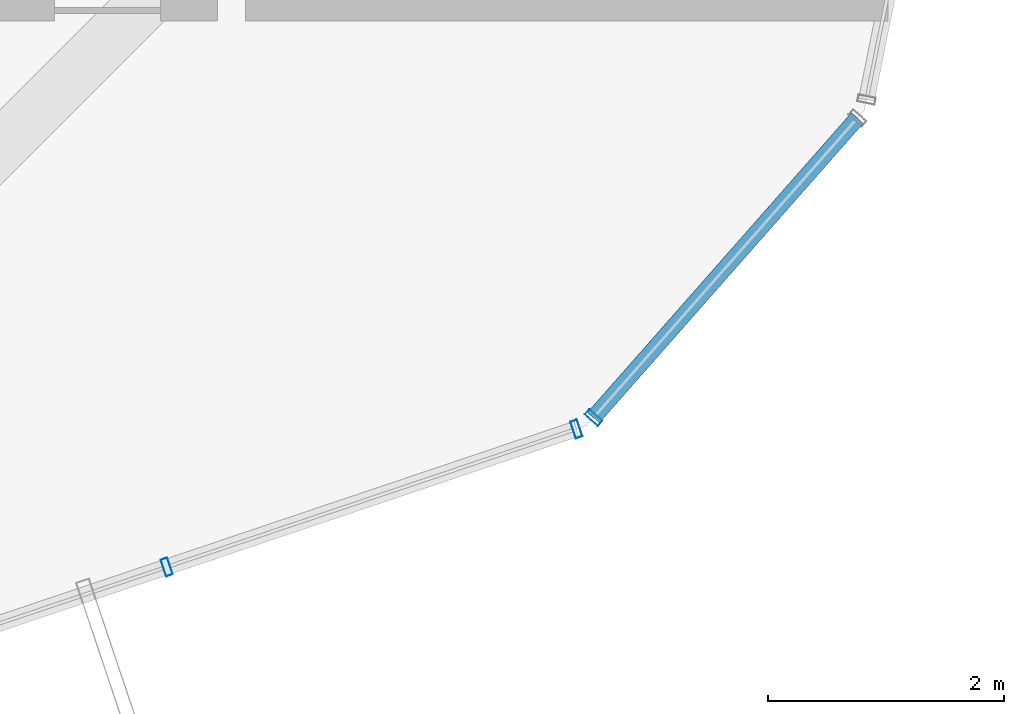
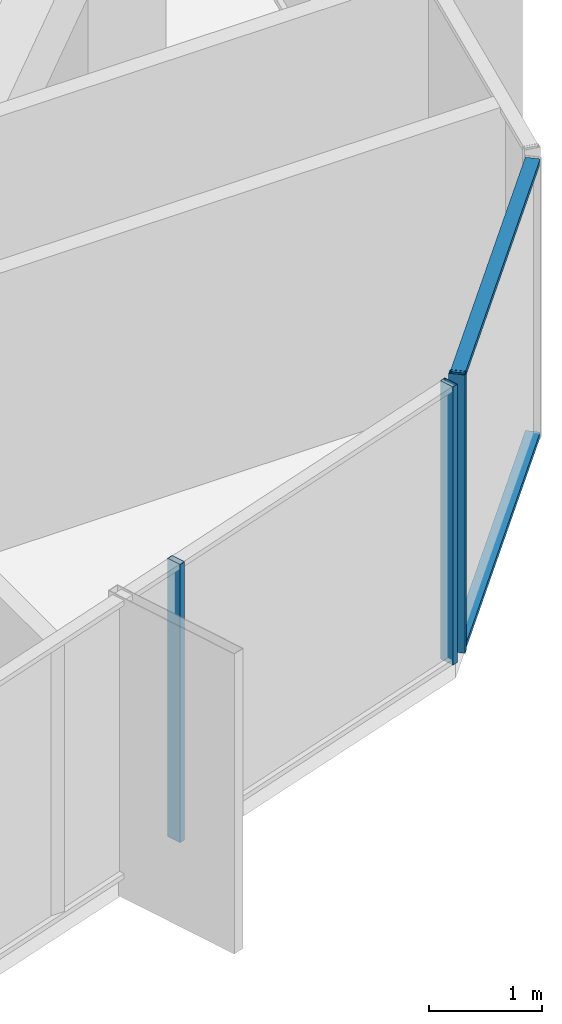
# One storey, part 9 of 28: 5 members, 2 elements without a shape of their own.
"""IFC4 building model written with IfcOpenShell, lengths in metres."""

from ifc_helpers import new_model, si_unit, direction, frame, origin, origin_2d, place, context, subcontext, project, spatial, hollow_rectangle, extrude, source, transform, mapped, material, layer, layer_set, material_profile, profile_set, type_object, element, aggregate, save


model = new_model("IFC4")

# Units and contexts
model_context = context("Model", 3, precision=1e-05, world=origin(), true_north=direction((0.0, 1.0)))
body_context = subcontext(model_context, "Body", "Model", "MODEL_VIEW")
ifc_project = project(units=[si_unit("LENGTHUNIT", "METRE"), si_unit("AREAUNIT", "SQUARE_METRE"), si_unit("VOLUMEUNIT", "CUBIC_METRE"), si_unit("PLANEANGLEUNIT", "RADIAN"), si_unit("MASSUNIT", "GRAM", prefix="KILO")], contexts=[model_context])

# Site, building, storey
site_placement = place(None, origin())
site = spatial("IfcSite", under=ifc_project, at=site_placement, CompositionType="ELEMENT")
building_placement = place(site_placement, origin())
building = spatial("IfcBuilding", under=site, at=building_placement, Name="Veraguas Prism Commons", CompositionType="ELEMENT")
storey_placement = place(building_placement, frame((0.0, 0.0, 248.0)))
storey = spatial("IfcBuildingStorey", under=building, at=storey_placement, Name="L70", CompositionType="ELEMENT", Elevation=248.0)

# Curtain wall, members
ifc_material = material(Name="Anodised aluminium EN AW-6063 T6", Category="aluminium")
ifc_layer = layer(ifc_material, 0.14990234375, Name="Unitised Flush Curtain Wall Zone 4", Category="aluminium")
ifc_layer_set = layer_set([ifc_layer], Name="Anodised aluminium EN AW-6063 T6")
curtain_wall_type = type_object("IfcCurtainWallType", Name="Unitised Flush Curtain Wall Zone 4", PredefinedType="NOTDEFINED", material=ifc_layer_set)
curtain_wall_1_placement = place(storey_placement, origin())
curtain_wall_1 = element("IfcCurtainWall", 1, at=curtain_wall_1_placement, inside=storey, type_object=curtain_wall_type, Name="Tower Facade Curtain Wall L70-F5", PredefinedType="NOTDEFINED")
ifc_material_profile_1 = material_profile(ifc_material, hollow_rectangle(XDim=0.06005859375, YDim=0.14990234375, WallThickness=0.0029296875, at=origin_2d()), Name="AL60X150X3")
ifc_profile_set_1 = profile_set([ifc_material_profile_1], Name="Anodised aluminium EN AW-6063 T6")
member_type_1 = type_object("IfcMemberType", Name="Curtain Wall Mullion Upper AL 60x150x3", PredefinedType="MULLION", material=ifc_profile_set_1)
shared_shape_1 = source(origin(), body_context, "Body", "SweptSolid", [
    extrude(hollow_rectangle(XDim=0.06005859375, YDim=0.14990234375, WallThickness=0.0029296875, at=origin_2d()), origin(), (0.0, 0.0, 1.0), 3.014892578125),
])
member_1_placement = place(storey_placement, frame((32.751953125, 9.58544921875, 0.0), z_axis=(0.0, 0.0, 1.0), x_axis=(0.94765924351, 0.319283507543, 0.0)))
member_1 = element("IfcMember", 2, at=member_1_placement, type_object=member_type_1, Name="CW-Z4 Mullion 4", PredefinedType="MULLION", context=body_context, shape_type="MappedRepresentation", body=[
    mapped(shared_shape_1, transform((0.0, 0.0, 0.0), scale=1.0)),
])
member_2_placement = place(storey_placement, frame((36.221923828125, 10.754638671875, 0.0), z_axis=(0.0, 0.0, 1.0), x_axis=(0.94765924351, 0.319283507543, 0.0)))
member_2 = element("IfcMember", 3, at=member_2_placement, type_object=member_type_1, Name="CW-Z4 Mullion 5", PredefinedType="MULLION", context=body_context, shape_type="MappedRepresentation", body=[
    mapped(shared_shape_1, transform((0.0, 0.0, 0.0), scale=1.0)),
])
aggregate(curtain_wall_1, [member_1, member_2])

curtain_wall_2_placement = place(storey_placement, origin())
curtain_wall_2 = element("IfcCurtainWall", 4, at=curtain_wall_2_placement, inside=storey, type_object=curtain_wall_type, Name="Chamfer Curtain Wall L70-C6", PredefinedType="NOTDEFINED")
member_3_placement = place(storey_placement, frame((36.366943359375, 10.850830078125, 0.0), z_axis=(0.0, 0.0, 1.0), x_axis=(0.661032961994, 0.75035686387, 0.0)))
member_3 = element("IfcMember", 5, at=member_3_placement, type_object=member_type_1, Name="CW-Z4 Mullion 1", PredefinedType="MULLION", context=body_context, shape_type="MappedRepresentation", body=[
    mapped(shared_shape_1, transform((0.0, 0.0, 0.0), scale=1.0)),
])
ifc_material_profile_2 = material_profile(ifc_material, hollow_rectangle(XDim=0.054931640625, YDim=0.135009765625, WallThickness=0.0029296875, at=origin_2d()), Name="AL55X135X3")
ifc_profile_set_2 = profile_set([ifc_material_profile_2], Name="Anodised aluminium EN AW-6063 T6")
member_type_2 = type_object("IfcMemberType", Name="Curtain Wall Transom Standard AL 55x135x3", PredefinedType="USERDEFINED", material=ifc_profile_set_2)
shared_shape_2 = source(origin(), body_context, "Body", "SweptSolid", [
    extrude(hollow_rectangle(XDim=0.054931640625, YDim=0.135009765625, WallThickness=0.0029296875, at=origin_2d()), origin(), (0.0, 0.0, 1.0), 3.38232421875),
])
member_4_placement = place(storey_placement, frame((36.366943359375, 10.850830078125, 0.027587890625), z_axis=(0.661015061195, 0.750372633346, 0.0), x_axis=(0.0, 0.0, 1.0)))
member_4 = element("IfcMember", 6, at=member_4_placement, type_object=member_type_2, Name="CW-Z4 Transom 1", ObjectType="TRANSOM", PredefinedType="USERDEFINED", context=body_context, shape_type="MappedRepresentation", body=[
    mapped(shared_shape_2, transform((0.0, 0.0, 0.0), scale=1.0)),
])
member_5_placement = place(storey_placement, frame((36.366943359375, 10.850830078125, 2.987548828125), z_axis=(0.661015061195, 0.750372633346, 0.0), x_axis=(0.0, 0.0, 1.0)))
member_5 = element("IfcMember", 7, at=member_5_placement, type_object=member_type_2, Name="CW-Z4 Transom 2", ObjectType="TRANSOM", PredefinedType="USERDEFINED", context=body_context, shape_type="MappedRepresentation", body=[
    mapped(shared_shape_2, transform((0.0, 0.0, 0.0), scale=1.0)),
])
aggregate(curtain_wall_2, [member_3, member_4, member_5])

save(model, "model.ifc")
